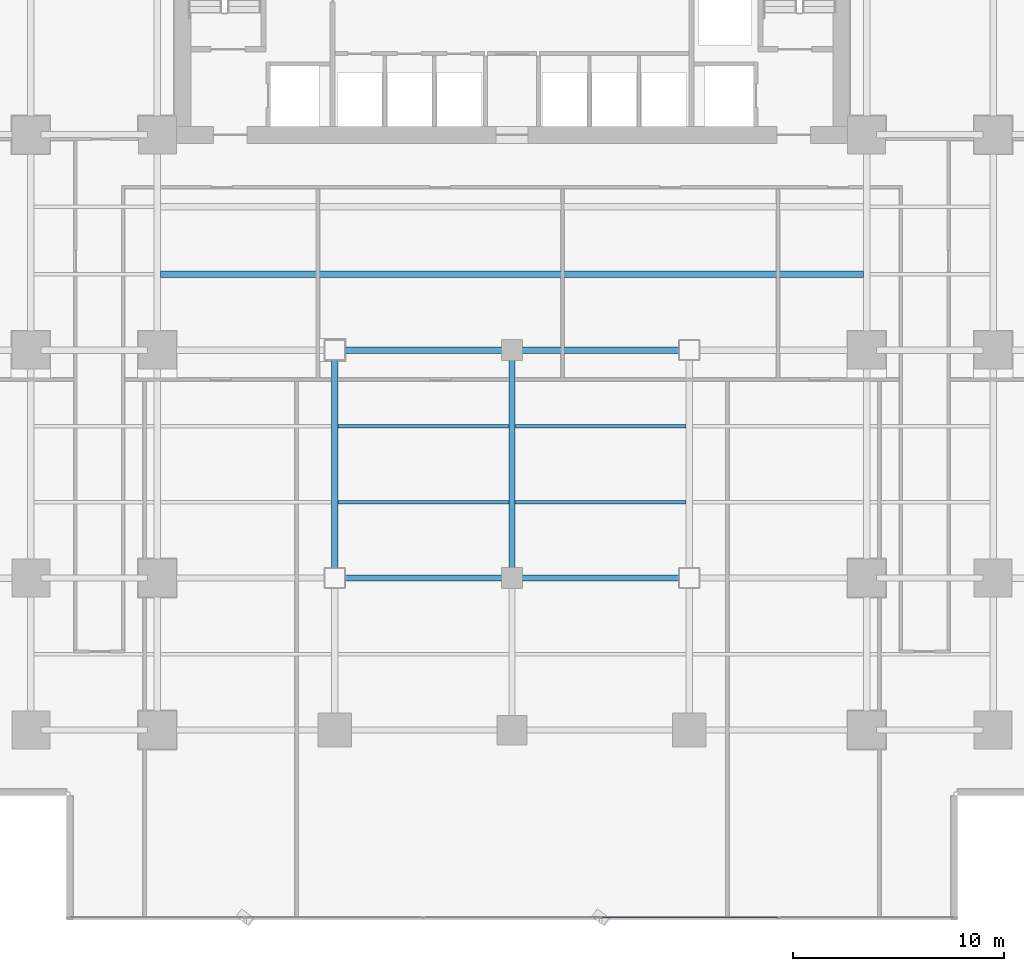
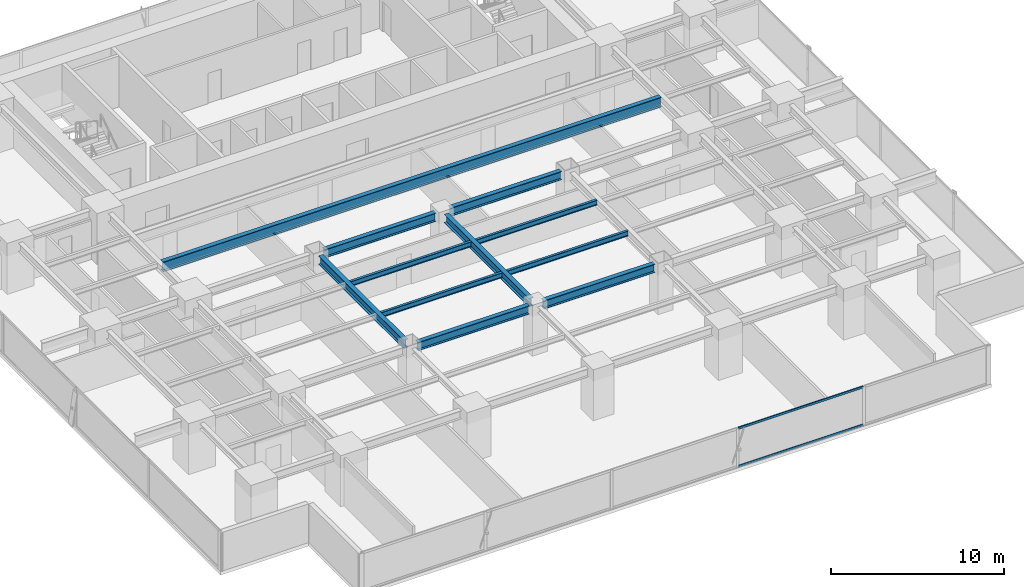
# One storey, part 10 of 32: 11 beams, 2 members, 1 element without a shape of its own.
"""IFC4 building model written with IfcOpenShell, lengths in metres."""

import ifcopenshell
import ifcopenshell.guid

model = None  # the IFC model being written
_history = None  # IfcOwnerHistory: only IFC2X3 demands one
_inside = {}  # id of a spatial element -> (the spatial element, [elements in it])
_under = {}  # id of a project, library or spatial element -> (it, [spatial elements below it])
_declared = {}  # id of a project -> (the project, [libraries it declares])
_typed = {}  # id of a type object -> (the type object, [elements of that type])
_made_of = {}  # id of a material, layer set ... -> (it, [elements and type objects made of it])


def new_model(schema):
    """Start an empty IFC model of exactly this schema.

    Asked for "IFC4X3", IfcOpenShell would pick the latest addendum, in which some entities
    have other attributes; the version numbers below select the first issue.
    IFC2X3 requires an IfcOwnerHistory on every rooted entity: one is made here for all.
    """
    global model, _history
    if schema == "IFC4X3":
        model = ifcopenshell.file(schema_version=(4, 3, 0, 0))
    else:
        model = ifcopenshell.file(schema=schema)
    _inside.clear()
    _under.clear()
    _declared.clear()
    _typed.clear()
    _made_of.clear()
    _history = None
    if model.schema == "IFC2X3":
        org = make("IfcOrganization", Name="unknown")
        user = make(
            "IfcPersonAndOrganization",
            ThePerson=make("IfcPerson", FamilyName="unknown"),
            TheOrganization=org,
        )
        app = make(
            "IfcApplication",
            ApplicationDeveloper=org,
            Version="unknown",
            ApplicationFullName="unknown",
            ApplicationIdentifier="unknown",
        )
        _history = make(
            "IfcOwnerHistory",
            OwningUser=user,
            OwningApplication=app,
            ChangeAction="ADDED",
            CreationDate=0,
        )
    return model


def make(cls, **values):
    """One entity of the class cls with the attributes given. An attribute that is None is left unset."""
    return model.create_entity(
        cls, **{name: value for name, value in values.items() if value is not None}
    )


def rooted(cls, **values):
    """An entity with a GlobalId (a new one), such as an element, a storey or a relation."""
    return make(cls, GlobalId=ifcopenshell.guid.new(), OwnerHistory=_history, **values)


def si_unit(unit_type, name, prefix=None):
    """IfcSIUnit, for example si_unit("LENGTHUNIT", "METRE", prefix="MILLI")."""
    return make("IfcSIUnit", UnitType=unit_type, Prefix=prefix, Name=name)


def assignment(units):
    """IfcUnitAssignment: the units of a project."""
    return None if units is None else make("IfcUnitAssignment", Units=units)


def point(xyz):
    """IfcCartesianPoint."""
    return None if xyz is None else make("IfcCartesianPoint", Coordinates=xyz)


def direction(xyz):
    """IfcDirection."""
    return None if xyz is None else make("IfcDirection", DirectionRatios=xyz)


def frame(location, z_axis=None, x_axis=None):
    """IfcAxis2Placement3D, a coordinate frame: its origin and axes. An axis left out is left unset."""
    return make(
        "IfcAxis2Placement3D",
        Location=point(location),
        Axis=direction(z_axis),
        RefDirection=direction(x_axis),
    )


def frame_2d(location, x_axis=None):
    """IfcAxis2Placement2D, a coordinate frame in the plane: its origin and x axis."""
    return make(
        "IfcAxis2Placement2D", Location=point(location), RefDirection=direction(x_axis)
    )


def origin():
    """The frame at (0, 0, 0) with its axes left unset."""
    return frame((0.0, 0.0, 0.0))


def origin_2d():
    """The frame at (0, 0) in the plane with its x axis left unset."""
    return frame_2d((0.0, 0.0))


def place(relative_to, where):
    """IfcLocalPlacement: puts the frame where relative to a parent placement (None: the world)."""
    return make(
        "IfcLocalPlacement", PlacementRelTo=relative_to, RelativePlacement=where
    )


def context(
    kind, dimensions, precision=None, world=None, true_north=None, identifier=None
):
    """IfcGeometricRepresentationContext, for example the 3D "Model" context."""
    return make(
        "IfcGeometricRepresentationContext",
        ContextIdentifier=identifier,
        ContextType=kind,
        CoordinateSpaceDimension=dimensions,
        Precision=precision,
        WorldCoordinateSystem=world,
        TrueNorth=true_north,
    )


def subcontext(parent, identifier, kind, view, scale=None):
    """IfcGeometricRepresentationSubContext, for example "Body" below "Model"."""
    return make(
        "IfcGeometricRepresentationSubContext",
        ContextIdentifier=identifier,
        ContextType=kind,
        ParentContext=parent,
        TargetScale=scale,
        TargetView=view,
    )


def project(units=None, contexts=None):
    """IfcProject with its units and contexts."""
    return rooted(
        "IfcProject",
        Name="project",
        RepresentationContexts=contexts,
        UnitsInContext=assignment(units),
    )


def spatial(cls, under=None, at=None, **own):
    """A site, building, storey or space (cls), placed at a placement, below another one or the project."""
    s = rooted(cls, ObjectPlacement=at, **own)
    if under is not None:
        _under.setdefault(under.id(), (under, []))[1].append(s)
    return s


def profile(cls, at=None, kind="AREA", **sizes):
    """A parametric profile (cls). Its sizes go by their IFC names, for example OverallWidth=200.0."""
    return make(cls, ProfileType=kind, Position=at, **sizes)


def hollow_rectangle(**sizes):
    """IfcRectangleHollowProfileDef."""
    return profile("IfcRectangleHollowProfileDef", **sizes)


def i_section(**sizes):
    """IfcIShapeProfileDef."""
    return profile("IfcIShapeProfileDef", **sizes)


def extrude(swept, where, along, depth):
    """IfcExtrudedAreaSolid: the profile swept, set in the frame where, extruded along a direction by depth."""
    return make(
        "IfcExtrudedAreaSolid",
        SweptArea=swept,
        Position=where,
        ExtrudedDirection=direction(along),
        Depth=depth,
    )


def shape(context_of_items, identifier, shape_type, items):
    """IfcShapeRepresentation: the items that make up one representation, for example the "Body"."""
    return make(
        "IfcShapeRepresentation",
        ContextOfItems=context_of_items,
        RepresentationIdentifier=identifier,
        RepresentationType=shape_type,
        Items=items,
    )


def source(mapping_origin, context_of_items, identifier, shape_type, items):
    """IfcRepresentationMap: a shape defined once, which mapped items show again and again."""
    return make(
        "IfcRepresentationMap",
        MappingOrigin=mapping_origin,
        MappedRepresentation=shape(context_of_items, identifier, shape_type, items),
    )


def transform(
    local_origin,
    x_axis=None,
    y_axis=None,
    z_axis=None,
    scale=None,
    scale2=None,
    scale3=None,
    uniform=True,
):
    """IfcCartesianTransformationOperator3D, or its non-uniform kind. x_axis, y_axis, z_axis: its Axis1, 2, 3."""
    if uniform:
        return make(
            "IfcCartesianTransformationOperator3D",
            Axis1=direction(x_axis),
            Axis2=direction(y_axis),
            LocalOrigin=point(local_origin),
            Scale=scale,
            Axis3=direction(z_axis),
        )
    return make(
        "IfcCartesianTransformationOperator3DnonUniform",
        Axis1=direction(x_axis),
        Axis2=direction(y_axis),
        LocalOrigin=point(local_origin),
        Scale=scale,
        Axis3=direction(z_axis),
        Scale2=scale2,
        Scale3=scale3,
    )


def mapped(mapping_source, mapping_target):
    """IfcMappedItem: shows the shape of a source again, moved by a transform."""
    return make(
        "IfcMappedItem", MappingSource=mapping_source, MappingTarget=mapping_target
    )


def material(Name=None, Category=None):
    """IfcMaterial."""
    return make("IfcMaterial", Name=Name, Category=Category)


def layer(
    of_material, thickness, ventilated=None, Name=None, Category=None, Priority=None
):
    """IfcMaterialLayer: one layer of a wall or slab, of a material (None: an air gap)."""
    return make(
        "IfcMaterialLayer",
        Material=of_material,
        LayerThickness=thickness,
        IsVentilated=ventilated,
        Name=Name,
        Category=Category,
        Priority=Priority,
    )


def layer_set(layers, Name=None):
    """IfcMaterialLayerSet."""
    return make("IfcMaterialLayerSet", MaterialLayers=layers, LayerSetName=Name)


def material_profile(
    of_material, cross_section, Name=None, Category=None, Priority=None
):
    """IfcMaterialProfile: a cross section and its material."""
    return make(
        "IfcMaterialProfile",
        Name=Name,
        Material=of_material,
        Profile=cross_section,
        Priority=Priority,
        Category=Category,
    )


def profile_set(profiles, Name=None, composite=None):
    """IfcMaterialProfileSet."""
    return make(
        "IfcMaterialProfileSet",
        Name=Name,
        MaterialProfiles=profiles,
        CompositeProfile=composite,
    )


def made_of(thing, what):
    """Note that an element or type object is made of a material, layer set ...; save() writes the relation."""
    if what is not None:
        _made_of.setdefault(what.id(), (what, []))[1].append(thing)
    return thing


def type_object(cls, material=None, **own):
    """A type object (cls), such as IfcWallType, which elements share."""
    return made_of(rooted(cls, **own), material)


def element(
    cls,
    number,
    at=None,
    inside=None,
    cuts=None,
    type_object=None,
    material=None,
    context=None,
    identifier="Body",
    shape_type=None,
    held_by="IfcProductDefinitionShape",
    body=None,
    shapes=None,
    **own,
):
    """One element of the class cls, such as IfcWall. Its Tag is "e" and its number.

    at: its placement. inside: the storey or other place that contains it. cuts: it is an
    opening in that element (IfcRelVoidsElement). A single representation is given by context,
    identifier, shape_type and body (its items); several are given by shapes. held_by: the class
    of the entity that holds the representations. save() writes the other relations.
    """
    e = rooted(cls, Tag="e%d" % number, ObjectPlacement=at, **own)
    if body is not None:
        shapes = [shape(context, identifier, shape_type, body)]
    if shapes is not None:
        e.Representation = make(held_by, Representations=shapes)
    if inside is not None:
        _inside.setdefault(inside.id(), (inside, []))[1].append(e)
    if cuts is not None:
        rooted(
            "IfcRelVoidsElement", RelatingBuildingElement=cuts, RelatedOpeningElement=e
        )
    if type_object is not None:
        _typed.setdefault(type_object.id(), (type_object, []))[1].append(e)
    return made_of(e, material)


def aggregate(whole, parts):
    """IfcRelAggregates: a whole, such as a stair, and the parts it consists of."""
    return rooted("IfcRelAggregates", RelatingObject=whole, RelatedObjects=parts)


def save(model, path):
    """Write the relations noted so far, then the file.

    IfcRelAggregates (storeys below a building ...), IfcRelContainedInSpatialStructure (elements
    in a storey), IfcRelDefinesByType, IfcRelAssociatesMaterial and IfcRelDeclares: one each for
    every whole, place, type object, material and project.
    """
    for whole, parts in _under.values():
        aggregate(whole, parts)
    for where, things in _inside.values():
        rooted(
            "IfcRelContainedInSpatialStructure",
            RelatedElements=things,
            RelatingStructure=where,
        )
    for kind, things in _typed.values():
        rooted("IfcRelDefinesByType", RelatedObjects=things, RelatingType=kind)
    for what, things in _made_of.values():
        rooted("IfcRelAssociatesMaterial", RelatedObjects=things, RelatingMaterial=what)
    for by, libraries in _declared.values():
        rooted("IfcRelDeclares", RelatingContext=by, RelatedDefinitions=libraries)
    model.write(path)


model = new_model("IFC4")

# Units and contexts
model_context = context("Model", 3, precision=1e-05, world=origin(), true_north=direction((0.0, 1.0)))
body_context = subcontext(model_context, "Body", "Model", "MODEL_VIEW")
ifc_project = project(units=[si_unit("LENGTHUNIT", "METRE"), si_unit("AREAUNIT", "SQUARE_METRE"), si_unit("VOLUMEUNIT", "CUBIC_METRE"), si_unit("PLANEANGLEUNIT", "RADIAN"), si_unit("MASSUNIT", "GRAM", prefix="KILO")], contexts=[model_context])

# Site, building, storey
site_placement = place(None, origin())
site = spatial("IfcSite", under=ifc_project, at=site_placement, CompositionType="ELEMENT")
building_placement = place(site_placement, origin())
building = spatial("IfcBuilding", under=site, at=building_placement, Name="Sumidabori Civic Tower", CompositionType="ELEMENT")
storey_placement = place(building_placement, frame((0.0, 0.0, 52.39990234375)))
storey = spatial("IfcBuildingStorey", under=building, at=storey_placement, Name="L13", CompositionType="ELEMENT", Elevation=52.39990234375)

# Beams
ifc_material_1 = material(Name="Steel SN490", Category="steel")
ifc_material_profile_1 = material_profile(ifc_material_1, i_section(OverallWidth=0.300048828125, OverallDepth=0.60009765625, WebThickness=0.015380859375, FlangeThickness=0.030029296875, at=origin_2d()), Name="HE 600 B")
ifc_profile_set_1 = profile_set([ifc_material_profile_1], Name="Steel SN490")
beam_type_1 = type_object("IfcBeamType", Name="BM-GIRD-600", PredefinedType="BEAM", material=ifc_profile_set_1)
shared_shape_1 = source(origin(), body_context, "Body", "SweptSolid", [
    extrude(i_section(OverallWidth=0.300048828125, OverallDepth=0.60009765625, WebThickness=0.015380859375, FlangeThickness=0.030029296875, at=origin_2d()), origin(), (0.0, 0.0, 1.0), 7.43994140625),
])
for number, where, z_axis, x_axis, name in (
    (1, (-7.919921875, -10.800048828125, 3.06005859375), (1.0, 0.0, 0.0), (0.0, 1.0, 0.0), "Primary Girder L13 GX-09"),
    (2, (0.47998046875, -10.800048828125, 3.06005859375), (1.0, 0.0, 0.0), (0.0, 1.0, 0.0), "Primary Girder L13 GX-10"),
    (3, (-7.919921875, 0.0, 3.06005859375), (1.0, 0.0, 0.0), (0.0, 1.0, 0.0), "Primary Girder L13 GX-15"),
    (4, (0.47998046875, 0.0, 3.06005859375), (1.0, 0.0, 0.0), (0.0, 1.0, 0.0), "Primary Girder L13 GX-16"),
):
    element("IfcBeam", number, at=place(storey_placement, frame(where, z_axis=z_axis, x_axis=x_axis)), inside=storey, type_object=beam_type_1, Name=name, PredefinedType="BEAM", context=body_context, shape_type="MappedRepresentation", body=[
        mapped(shared_shape_1, transform((0.0, 0.0, 0.0), x_axis=(1.0, 0.0, 0.0), y_axis=(0.0, 1.0, 0.0), z_axis=(0.0, 0.0, 1.0), scale=1.0)),
    ])
shared_shape_2 = source(origin(), body_context, "Body", "SweptSolid", [
    extrude(i_section(OverallWidth=0.300048828125, OverallDepth=0.60009765625, WebThickness=0.015380859375, FlangeThickness=0.030029296875, at=origin_2d()), origin(), (0.0, 0.0, 1.0), 9.840087890625),
])
for number, where, z_axis, x_axis, name in (
    (5, (-8.39990234375, -10.320068359375, 3.06005859375), (0.0, 1.0, 0.0), (-1.0, 0.0, 0.0), "Primary Girder L13 GY-30"),
    (6, (0.0, -10.320068359375, 3.06005859375), (0.0, 1.0, 0.0), (-1.0, 0.0, 0.0), "Primary Girder L13 GY-32"),
):
    element("IfcBeam", number, at=place(storey_placement, frame(where, z_axis=z_axis, x_axis=x_axis)), inside=storey, type_object=beam_type_1, Name=name, PredefinedType="BEAM", context=body_context, shape_type="MappedRepresentation", body=[
        mapped(shared_shape_2, transform((0.0, 0.0, 0.0), x_axis=(1.0, 0.0, 0.0), y_axis=(0.0, 1.0, 0.0), z_axis=(0.0, 0.0, 1.0), scale=1.0)),
    ])
ifc_material_profile_2 = material_profile(ifc_material_1, i_section(OverallWidth=0.300048828125, OverallDepth=0.699951171875, WebThickness=0.01708984375, FlangeThickness=0.031982421875, at=origin_2d()), Name="HE 700 B")
ifc_profile_set_2 = profile_set([ifc_material_profile_2], Name="Steel SN490")
beam_type_2 = type_object("IfcBeamType", Name="BM-GIRD-700", PredefinedType="BEAM", material=ifc_profile_set_2)
shared_shape_3 = source(origin(), body_context, "Body", "SweptSolid", [
    extrude(i_section(OverallWidth=0.300048828125, OverallDepth=0.699951171875, WebThickness=0.01708984375, FlangeThickness=0.031982421875, at=origin_2d()), origin(), (0.0, 0.0, 1.0), 33.2998046875),
])
beam_placement = place(storey_placement, frame((-16.64990234375, 3.60009765625, 3.010009765625), z_axis=(1.0, 0.0, 0.0), x_axis=(0.0, 1.0, 0.0)))
element("IfcBeam", 7, at=beam_placement, inside=storey, type_object=beam_type_2, Name="North Bay Floor Beam L13 JSTN-59", PredefinedType="BEAM", context=body_context, shape_type="MappedRepresentation", body=[
    mapped(shared_shape_3, transform((0.0, 0.0, 0.0), x_axis=(1.0, 0.0, 0.0), y_axis=(0.0, 1.0, 0.0), z_axis=(0.0, 0.0, 1.0), scale=1.0)),
])
ifc_material_profile_3 = material_profile(ifc_material_1, i_section(OverallWidth=0.169921875, OverallDepth=0.360107421875, WebThickness=0.008056640625, FlangeThickness=0.0126953125, at=origin_2d()), Name="IPE 360")
ifc_profile_set_3 = profile_set([ifc_material_profile_3], Name="Steel SN490")
beam_type_3 = type_object("IfcBeamType", Name="BM-JST-360", PredefinedType="JOIST", material=ifc_profile_set_3)
shared_shape_4 = source(origin(), body_context, "Body", "SweptSolid", [
    extrude(i_section(OverallWidth=0.169921875, OverallDepth=0.360107421875, WebThickness=0.008056640625, FlangeThickness=0.0126953125, at=origin_2d()), origin(), (0.0, 0.0, 1.0), 8.10009765625),
])
for number, where, z_axis, x_axis, name in (
    (8, (-8.25, -7.199951171875, 3.18017578125), (1.0, 0.0, 0.0), (0.0, 1.0, 0.0), "South Bay Floor Joist L13 JSTS-66"),
    (9, (0.14990234375, -7.199951171875, 3.18017578125), (1.0, 0.0, 0.0), (0.0, 1.0, 0.0), "South Bay Floor Joist L13 JSTS-67"),
    (10, (-8.25, -3.60009765625, 3.18017578125), (1.0, 0.0, 0.0), (0.0, 1.0, 0.0), "South Bay Floor Joist L13 JSTS-70"),
    (11, (0.14990234375, -3.60009765625, 3.18017578125), (1.0, 0.0, 0.0), (0.0, 1.0, 0.0), "South Bay Floor Joist L13 JSTS-71"),
):
    element("IfcBeam", number, at=place(storey_placement, frame(where, z_axis=z_axis, x_axis=x_axis)), inside=storey, type_object=beam_type_3, Name=name, PredefinedType="JOIST", context=body_context, shape_type="MappedRepresentation", body=[
        mapped(shared_shape_4, transform((0.0, 0.0, 0.0), x_axis=(1.0, 0.0, 0.0), y_axis=(0.0, 1.0, 0.0), z_axis=(0.0, 0.0, 1.0), scale=1.0)),
    ])

# Curtain wall, members
ifc_material_2 = material(Name="Anodised Bronze Aluminium AW-6063-T6", Category="aluminium")
ifc_layer = layer(ifc_material_2, 0.179931640625, Name="Anodised Bronze Aluminium AW-6063-T6")
ifc_layer_set = layer_set([ifc_layer], Name="Anodised Bronze Aluminium AW-6063-T6")
curtain_wall_type = type_object("IfcCurtainWallType", Name="CW-SYS-2", PredefinedType="NOTDEFINED", material=ifc_layer_set)
curtain_wall_placement = place(storey_placement, origin())
curtain_wall = element("IfcCurtainWall", 12, at=curtain_wall_placement, inside=storey, type_object=curtain_wall_type, Name="Curtain Wall CW:L13:R01", PredefinedType="NOTDEFINED")
ifc_material_profile_4 = material_profile(ifc_material_2, hollow_rectangle(XDim=0.06494140625, YDim=0.14990234375, WallThickness=0.0048828125, at=origin_2d()), Name="ALU TRANSOM 150x65")
ifc_profile_set_4 = profile_set([ifc_material_profile_4], Name="Anodised Bronze Aluminium AW-6063-T6")
member_type = type_object("IfcMemberType", Name="CW-TRN-150", PredefinedType="USERDEFINED", material=ifc_profile_set_4)
shared_shape_5 = source(origin(), body_context, "Body", "SweptSolid", [
    extrude(hollow_rectangle(XDim=0.06494140625, YDim=0.14990234375, WallThickness=0.0048828125, at=origin_2d()), origin(), (0.0, 0.0, 1.0), 8.35791015625),
])
member_1_placement = place(storey_placement, frame((4.2490234375, -26.8798828125, 0.03271484375), z_axis=(1.0, 0.0, 0.0), x_axis=(0.0, 1.0, 0.0)))
member_1 = element("IfcMember", 13, at=member_1_placement, type_object=member_type, Name="CW-2 transom 4.1", ObjectType="TRANSOM", PredefinedType="USERDEFINED", context=body_context, shape_type="MappedRepresentation", body=[
    mapped(shared_shape_5, transform((0.0, 0.0, 0.0), x_axis=(1.0, 0.0, 0.0), y_axis=(0.0, 1.0, 0.0), z_axis=(0.0, 0.0, 1.0), scale=1.0)),
])
member_2_placement = place(storey_placement, frame((4.2490234375, -26.8798828125, 2.70751953125), z_axis=(1.0, 0.0, 0.0), x_axis=(0.0, 1.0, 0.0)))
member_2 = element("IfcMember", 14, at=member_2_placement, type_object=member_type, Name="CW-2 transom 4.2", ObjectType="TRANSOM", PredefinedType="USERDEFINED", context=body_context, shape_type="MappedRepresentation", body=[
    mapped(shared_shape_5, transform((0.0, 0.0, 0.0), x_axis=(1.0, 0.0, 0.0), y_axis=(0.0, 1.0, 0.0), z_axis=(0.0, 0.0, 1.0), scale=1.0)),
])
aggregate(curtain_wall, [member_1, member_2])

save(model, "model.ifc")
